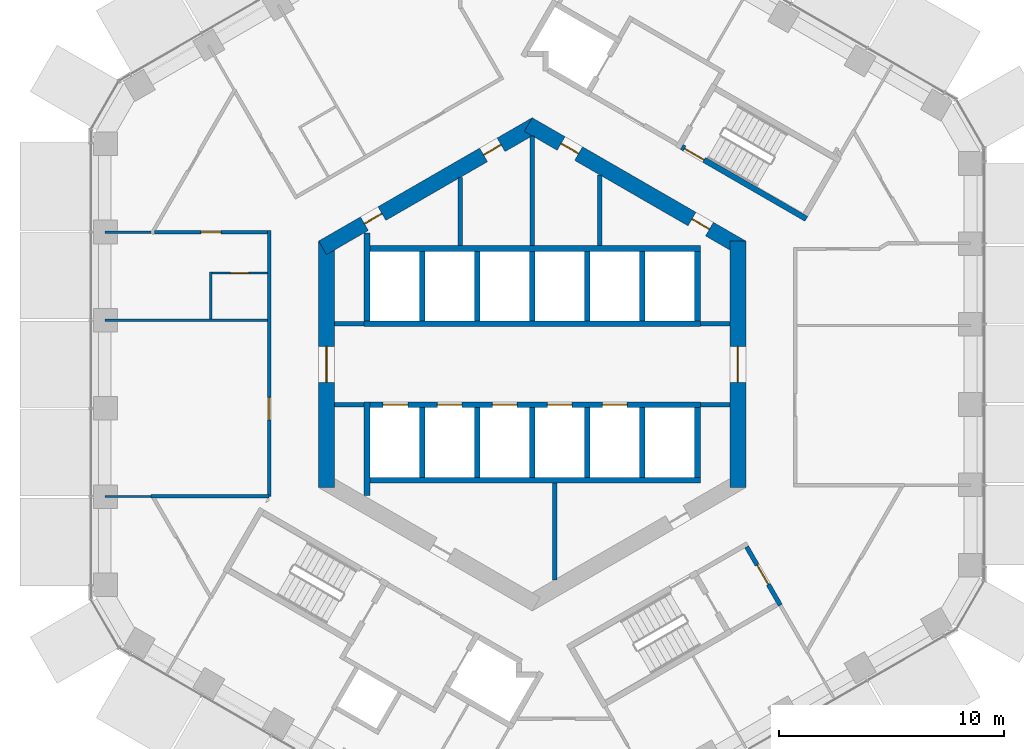
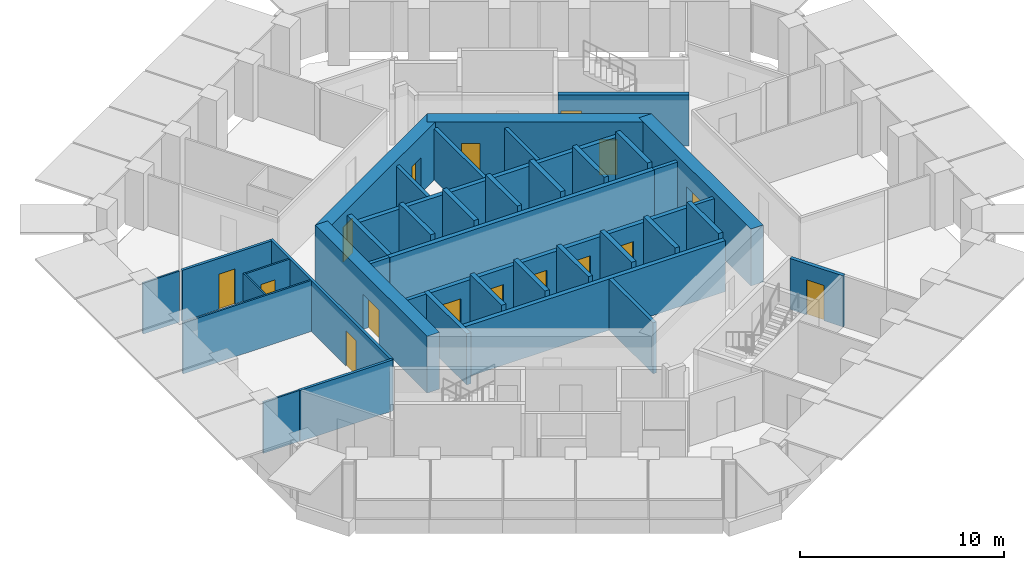
# One storey, part 13 of 18: 40 walls, 16 doors, 16 openings.
"""IFC4 building model written with IfcOpenShell, lengths in metres."""

from ifc_helpers import new_model, si_unit, direction, frame, frame_2d, origin, place, context, subcontext, project, spatial, rectangle, extrude, material, layer, layer_set, type_object, element, fill, save


model = new_model("IFC4")

# Units and contexts
model_context = context("Model", 3, precision=1e-05, world=origin(), true_north=direction((0.0, 1.0)))
body_context = subcontext(model_context, "Body", "Model", "MODEL_VIEW")
ifc_project = project(units=[si_unit("LENGTHUNIT", "METRE"), si_unit("AREAUNIT", "SQUARE_METRE"), si_unit("VOLUMEUNIT", "CUBIC_METRE"), si_unit("PLANEANGLEUNIT", "RADIAN"), si_unit("MASSUNIT", "GRAM", prefix="KILO")], contexts=[model_context])

# Site, building, storey
site_placement = place(None, origin())
site = spatial("IfcSite", under=ifc_project, at=site_placement, CompositionType="ELEMENT")
building_placement = place(site_placement, origin())
building = spatial("IfcBuilding", under=site, at=building_placement, Name="Ayvan Gate Tower", CompositionType="ELEMENT")
storey_placement = place(building_placement, frame((0.0, 0.0, 110.300048828125)))
storey = spatial("IfcBuildingStorey", under=building, at=storey_placement, Name="L29", CompositionType="ELEMENT", Elevation=110.300048828125)

# Wall, opening, door
ifc_material_1 = material(Name="Concrete C70/85", Category="concrete")
ifc_layer_1 = layer(ifc_material_1, 0.699951171875)
ifc_layer_set_1 = layer_set([ifc_layer_1], Name="Concrete C70/85")
wall_type_1 = type_object("IfcWallType", Name="Core wall 700 C70/85", PredefinedType="SHEAR", material=ifc_layer_set_1)
wall_1_placement = place(storey_placement, frame((9.14990234375, -5.48486328125, 0.0), z_axis=(0.0, 0.0, 1.0), x_axis=(0.0, 1.0, 0.0)))
wall_1 = element("IfcWall", 1, at=wall_1_placement, inside=storey, type_object=wall_type_1, Name="CORE-L29-0", PredefinedType="SHEAR", context=body_context, shape_type="SweptSolid", body=[
    extrude(rectangle(XDim=10.9697265625, YDim=0.699951171875, at=frame_2d((5.48486328125, 0.0))), origin(), (0.0, 0.0, 1.0), 3.39990234375),
])
opening_1_placement = place(wall_1_placement, frame((4.684814453125, 0.0, 0.0)))
opening_1 = element("IfcOpeningElement", 2, at=opening_1_placement, cuts=wall_1, Name="Opening L29-D44", PredefinedType="OPENING", context=body_context, shape_type="SweptSolid", body=[
    extrude(rectangle(XDim=1.60009765625, YDim=2.10009765625, at=frame_2d((0.800048828125, 1.050048828125))), frame((0.0, 0.35986328125, 0.0), z_axis=(0.0, -1.0, 0.0), x_axis=(1.0, 0.0, 0.0)), (0.0, 0.0, 1.0), 0.719970703125),
])
ifc_material_2 = material(Name="Timber door leaf", Category="wood")
door_type_1 = type_object("IfcDoorType", Name="DT-1600", OperationType="NOTDEFINED", PredefinedType="DOOR", material=ifc_material_2)
door_1_placement = place(opening_1_placement, origin())
door_1 = element("IfcDoor", 3, at=door_1_placement, inside=storey, type_object=door_type_1, Name="CD-L29-44", OperationType="SINGLE_SWING_LEFT", OverallHeight=2.10009765625, OverallWidth=1.60009765625, PredefinedType="DOOR", context=body_context, shape_type="SweptSolid", body=[
    extrude(rectangle(XDim=1.60009765625, YDim=2.10009765625, at=frame_2d((0.800048828125, 1.050048828125))), frame((0.0, 0.02490234375, 0.0), z_axis=(0.0, -1.0, 0.0), x_axis=(1.0, 0.0, 0.0)), (0.0, 0.0, 1.0), 0.050048828125),
])
fill(opening_1, door_1)

# Wall, openings, doors
wall_2_placement = place(storey_placement, frame((9.324951171875, 5.181640625, 0.0), z_axis=(0.0, 0.0, 1.0), x_axis=(-0.866023993627, 0.500002442456, 0.0)))
wall_2 = element("IfcWall", 4, at=wall_2_placement, inside=storey, type_object=wall_type_1, Name="CORE-L29-1", PredefinedType="SHEAR", context=body_context, shape_type="SweptSolid", body=[
    extrude(rectangle(XDim=10.9697265625, YDim=0.699951171875, at=frame_2d((5.48486328125, 0.0))), origin(), (0.0, 0.0, 1.0), 3.39990234375),
])
opening_2_placement = place(wall_2_placement, frame((8.384033203125, 0.0, 0.0)))
opening_2 = element("IfcOpeningElement", 5, at=opening_2_placement, cuts=wall_2, Name="Opening L29-D40", PredefinedType="OPENING", context=body_context, shape_type="SweptSolid", body=[
    extrude(rectangle(XDim=0.89990234375, YDim=2.10009765625, at=frame_2d((0.449951171875, 1.050048828125))), frame((0.0, 0.35986328125, 0.0), z_axis=(0.0, -1.0, 0.0), x_axis=(1.0, 0.0, 0.0)), (0.0, 0.0, 1.0), 0.719970703125),
])
opening_3_placement = place(wall_2_placement, frame((1.66259765625, 0.0, 0.0)))
opening_3 = element("IfcOpeningElement", 6, at=opening_3_placement, cuts=wall_2, Name="Opening L29-D41", PredefinedType="OPENING", context=body_context, shape_type="SweptSolid", body=[
    extrude(rectangle(XDim=0.89990234375, YDim=2.10009765625, at=frame_2d((0.449951171875, 1.050048828125))), frame((0.0, 0.35986328125, 0.0), z_axis=(0.0, -1.0, 0.0), x_axis=(1.0, 0.0, 0.0)), (0.0, 0.0, 1.0), 0.719970703125),
])
door_type_2 = type_object("IfcDoorType", Name="DT-900", OperationType="NOTDEFINED", PredefinedType="DOOR", material=ifc_material_2)
door_2_placement = place(opening_2_placement, origin())
door_2 = element("IfcDoor", 7, at=door_2_placement, inside=storey, type_object=door_type_2, Name="CD-L29-40", OperationType="SINGLE_SWING_LEFT", OverallHeight=2.10009765625, OverallWidth=0.89990234375, PredefinedType="DOOR", context=body_context, shape_type="SweptSolid", body=[
    extrude(rectangle(XDim=0.89990234375, YDim=2.10009765625, at=frame_2d((0.449951171875, 1.050048828125))), frame((0.0, 0.02490234375, 0.0), z_axis=(0.0, -1.0, 0.0), x_axis=(1.0, 0.0, 0.0)), (0.0, 0.0, 1.0), 0.050048828125),
])
fill(opening_2, door_2)
door_3_placement = place(opening_3_placement, origin())
door_3 = element("IfcDoor", 8, at=door_3_placement, inside=storey, type_object=door_type_2, Name="CD-L29-41", OperationType="SINGLE_SWING_RIGHT", OverallHeight=2.10009765625, OverallWidth=0.89990234375, PredefinedType="DOOR", context=body_context, shape_type="SweptSolid", body=[
    extrude(rectangle(XDim=0.89990234375, YDim=2.10009765625, at=frame_2d((0.449951171875, 1.050048828125))), frame((0.0, 0.02490234375, 0.0), z_axis=(0.0, -1.0, 0.0), x_axis=(1.0, 0.0, 0.0)), (0.0, 0.0, 1.0), 0.050048828125),
])
fill(opening_3, door_3)

wall_3_placement = place(storey_placement, frame((0.175048828125, 10.66650390625, 0.0), z_axis=(0.0, 0.0, 1.0), x_axis=(-0.866023993627, -0.500002442456, 0.0)))
wall_3 = element("IfcWall", 9, at=wall_3_placement, inside=storey, type_object=wall_type_1, Name="CORE-L29-2", PredefinedType="SHEAR", context=body_context, shape_type="SweptSolid", body=[
    extrude(rectangle(XDim=10.9697265625, YDim=0.699951171875, at=frame_2d((5.48486328125, 0.0))), origin(), (0.0, 0.0, 1.0), 3.39990234375),
])
opening_4_placement = place(wall_3_placement, frame((7.922607421875, 0.0, 0.0)))
opening_4 = element("IfcOpeningElement", 10, at=opening_4_placement, cuts=wall_3, Name="Opening L29-D38", PredefinedType="OPENING", context=body_context, shape_type="SweptSolid", body=[
    extrude(rectangle(XDim=0.89990234375, YDim=2.10009765625, at=frame_2d((0.449951171875, 1.050048828125))), frame((0.0, 0.35986328125, 0.0), z_axis=(0.0, -1.0, 0.0), x_axis=(1.0, 0.0, 0.0)), (0.0, 0.0, 1.0), 0.719970703125),
])
opening_5_placement = place(wall_3_placement, frame((1.80224609375, 0.0, 0.0)))
opening_5 = element("IfcOpeningElement", 11, at=opening_5_placement, cuts=wall_3, Name="Opening L29-D39", PredefinedType="OPENING", context=body_context, shape_type="SweptSolid", body=[
    extrude(rectangle(XDim=0.89990234375, YDim=2.10009765625, at=frame_2d((0.449951171875, 1.050048828125))), frame((0.0, 0.35986328125, 0.0), z_axis=(0.0, -1.0, 0.0), x_axis=(1.0, 0.0, 0.0)), (0.0, 0.0, 1.0), 0.719970703125),
])
door_4_placement = place(opening_4_placement, origin())
door_4 = element("IfcDoor", 12, at=door_4_placement, inside=storey, type_object=door_type_2, Name="CD-L29-38", OperationType="SINGLE_SWING_LEFT", OverallHeight=2.10009765625, OverallWidth=0.89990234375, PredefinedType="DOOR", context=body_context, shape_type="SweptSolid", body=[
    extrude(rectangle(XDim=0.89990234375, YDim=2.10009765625, at=frame_2d((0.449951171875, 1.050048828125))), frame((0.0, 0.02490234375, 0.0), z_axis=(0.0, -1.0, 0.0), x_axis=(1.0, 0.0, 0.0)), (0.0, 0.0, 1.0), 0.050048828125),
])
fill(opening_4, door_4)
door_5_placement = place(opening_5_placement, origin())
door_5 = element("IfcDoor", 13, at=door_5_placement, inside=storey, type_object=door_type_2, Name="CD-L29-39", OperationType="SINGLE_SWING_RIGHT", OverallHeight=2.10009765625, OverallWidth=0.89990234375, PredefinedType="DOOR", context=body_context, shape_type="SweptSolid", body=[
    extrude(rectangle(XDim=0.89990234375, YDim=2.10009765625, at=frame_2d((0.449951171875, 1.050048828125))), frame((0.0, 0.02490234375, 0.0), z_axis=(0.0, -1.0, 0.0), x_axis=(1.0, 0.0, 0.0)), (0.0, 0.0, 1.0), 0.050048828125),
])
fill(opening_5, door_5)

# Wall, opening, door
wall_4_placement = place(storey_placement, frame((-9.14990234375, 5.48486328125, 0.0), z_axis=(0.0, 0.0, 1.0), x_axis=(0.0, -1.0, 0.0)))
wall_4 = element("IfcWall", 14, at=wall_4_placement, inside=storey, type_object=wall_type_1, Name="CORE-L29-3", PredefinedType="SHEAR", context=body_context, shape_type="SweptSolid", body=[
    extrude(rectangle(XDim=10.9697265625, YDim=0.699951171875, at=frame_2d((5.48486328125, 0.0))), origin(), (0.0, 0.0, 1.0), 3.39990234375),
])
opening_6_placement = place(wall_4_placement, frame((4.684814453125, 0.0, 0.0)))
opening_6 = element("IfcOpeningElement", 15, at=opening_6_placement, cuts=wall_4, Name="Opening L29-D45", PredefinedType="OPENING", context=body_context, shape_type="SweptSolid", body=[
    extrude(rectangle(XDim=1.60009765625, YDim=2.10009765625, at=frame_2d((0.800048828125, 1.050048828125))), frame((0.0, 0.35986328125, 0.0), z_axis=(0.0, -1.0, 0.0), x_axis=(1.0, 0.0, 0.0)), (0.0, 0.0, 1.0), 0.719970703125),
])
door_6_placement = place(opening_6_placement, origin())
door_6 = element("IfcDoor", 16, at=door_6_placement, inside=storey, type_object=door_type_1, Name="CD-L29-45", OperationType="SINGLE_SWING_RIGHT", OverallHeight=2.10009765625, OverallWidth=1.60009765625, PredefinedType="DOOR", context=body_context, shape_type="SweptSolid", body=[
    extrude(rectangle(XDim=1.60009765625, YDim=2.10009765625, at=frame_2d((0.800048828125, 1.050048828125))), frame((0.0, 0.02490234375, 0.0), z_axis=(0.0, -1.0, 0.0), x_axis=(1.0, 0.0, 0.0)), (0.0, 0.0, 1.0), 0.050048828125),
])
fill(opening_6, door_6)

# Wall
ifc_material_3 = material(Name="Plasterboard on steel stud", Category="steel")
ifc_layer_2 = layer(ifc_material_3, 0.14990234375)
ifc_layer_set_2 = layer_set([ifc_layer_2], Name="Plasterboard on steel stud")
wall_type_2 = type_object("IfcWallType", Name="WT-CORR-150", PredefinedType="PARTITIONING", material=ifc_layer_set_2)
wall_5_placement = place(storey_placement, frame((-16.96142578125, -5.875244140625, 0.0), z_axis=(0.0, 0.0, 1.0), x_axis=(1.0, 0.0, 0.0)))
element("IfcWall", 17, at=wall_5_placement, inside=storey, type_object=wall_type_2, Name="IW-L29-000", PredefinedType="PARTITIONING", context=body_context, shape_type="SweptSolid", body=[
    extrude(rectangle(XDim=5.255615234375, YDim=0.14990234375, at=frame_2d((2.6279296875, 0.0))), origin(), (0.0, 0.0, 1.0), 3.050048828125),
])

# Wall, opening, door
wall_6_placement = place(storey_placement, frame((-11.699951171875, 5.9501953125, 0.0), z_axis=(0.0, 0.0, 1.0), x_axis=(0.0, -1.0, 0.0)))
wall_6 = element("IfcWall", 18, at=wall_6_placement, inside=storey, type_object=wall_type_2, Name="IW-L29-013", PredefinedType="PARTITIONING", context=body_context, shape_type="SweptSolid", body=[
    extrude(rectangle(XDim=11.825439453125, YDim=0.14990234375, at=frame_2d((5.91259765625, 0.0))), origin(), (0.0, 0.0, 1.0), 3.050048828125),
])
opening_7_placement = place(wall_6_placement, frame((7.423583984375, 0.0, 0.0)))
opening_7 = element("IfcOpeningElement", 19, at=opening_7_placement, cuts=wall_6, Name="Opening L29-D26", PredefinedType="OPENING", context=body_context, shape_type="SweptSolid", body=[
    extrude(rectangle(XDim=1.0, YDim=2.10009765625, at=frame_2d((0.5, 1.050048828125))), frame((0.0, 0.0849609375, 0.0), z_axis=(0.0, -1.0, 0.0), x_axis=(1.0, 0.0, 0.0)), (0.0, 0.0, 1.0), 0.169921875),
])
door_type_3 = type_object("IfcDoorType", Name="DT-1000", OperationType="NOTDEFINED", PredefinedType="DOOR", material=ifc_material_2)
door_7_placement = place(opening_7_placement, origin())
door_7 = element("IfcDoor", 20, at=door_7_placement, inside=storey, type_object=door_type_3, Name="ID-L29-026", OperationType="SINGLE_SWING_LEFT", OverallHeight=2.10009765625, OverallWidth=1.0, PredefinedType="DOOR", context=body_context, shape_type="SweptSolid", body=[
    extrude(rectangle(XDim=1.0, YDim=2.10009765625, at=frame_2d((0.5, 1.050048828125))), frame((0.0, 0.02490234375, 0.0), z_axis=(0.0, -1.0, 0.0), x_axis=(1.0, 0.0, 0.0)), (0.0, 0.0, 1.0), 0.050048828125),
])
fill(opening_7, door_7)

wall_7_placement = place(storey_placement, frame((-11.77490234375, 5.875244140625, 0.0), z_axis=(0.0, 0.0, 1.0), x_axis=(-1.0, 0.0, 0.0)))
wall_7 = element("IfcWall", 21, at=wall_7_placement, inside=storey, type_object=wall_type_2, Name="IW-L29-015", PredefinedType="PARTITIONING", context=body_context, shape_type="SweptSolid", body=[
    extrude(rectangle(XDim=5.03662109375, YDim=0.14990234375, at=frame_2d((2.518310546875, 0.0))), origin(), (0.0, 0.0, 1.0), 3.050048828125),
])
opening_8_placement = place(wall_7_placement, frame((2.068359375, 0.0, 0.0)))
opening_8 = element("IfcOpeningElement", 22, at=opening_8_placement, cuts=wall_7, Name="Opening L29-D24", PredefinedType="OPENING", context=body_context, shape_type="SweptSolid", body=[
    extrude(rectangle(XDim=0.89990234375, YDim=2.10009765625, at=frame_2d((0.449951171875, 1.050048828125))), frame((0.0, 0.0849609375, 0.0), z_axis=(0.0, -1.0, 0.0), x_axis=(1.0, 0.0, 0.0)), (0.0, 0.0, 1.0), 0.169921875),
])
door_8_placement = place(opening_8_placement, origin())
door_8 = element("IfcDoor", 23, at=door_8_placement, inside=storey, type_object=door_type_2, Name="ID-L29-024", OperationType="SINGLE_SWING_LEFT", OverallHeight=2.10009765625, OverallWidth=0.89990234375, PredefinedType="DOOR", context=body_context, shape_type="SweptSolid", body=[
    extrude(rectangle(XDim=0.89990234375, YDim=2.10009765625, at=frame_2d((0.449951171875, 1.050048828125))), frame((0.0, 0.02490234375, 0.0), z_axis=(0.0, -1.0, 0.0), x_axis=(1.0, 0.0, 0.0)), (0.0, 0.0, 1.0), 0.050048828125),
])
fill(opening_8, door_8)

# Walls
ifc_layer_3 = layer(ifc_material_3, 0.10009765625)
ifc_layer_set_3 = layer_set([ifc_layer_3], Name="Plasterboard on steel stud")
wall_type_3 = type_object("IfcWallType", Name="WT-PART-100", PredefinedType="PARTITIONING", material=ifc_layer_set_3)
for number, where, z_axis, x_axis, name in (
    (24, (-16.96142578125, 5.875244140625, 0.0), (0.0, 0.0, 1.0), (-1.0, 0.0, 0.0), "IW-L29-001"),
    (25, (-16.96142578125, -5.875244140625, 0.0), (0.0, 0.0, 1.0), (-1.0, 0.0, 0.0), "IW-L29-003"),
):
    element("IfcWall", number, at=place(storey_placement, frame(where, z_axis=z_axis, x_axis=x_axis)), inside=storey, type_object=wall_type_3, Name=name, PredefinedType="PARTITIONING", context=body_context, shape_type="SweptSolid", body=[
        extrude(rectangle(XDim=2.04931640625, YDim=0.10009765625, at=frame_2d((1.024658203125, 0.0))), origin(), (0.0, 0.0, 1.0), 3.050048828125),
    ])
wall_8_placement = place(storey_placement, frame((-19.0107421875, 1.95849609375, 0.0), z_axis=(0.0, 0.0, 1.0), x_axis=(1.0, 0.0, 0.0)))
element("IfcWall", 26, at=wall_8_placement, inside=storey, type_object=wall_type_3, Name="IW-L29-005", PredefinedType="PARTITIONING", context=body_context, shape_type="SweptSolid", body=[
    extrude(rectangle(XDim=7.23583984375, YDim=0.10009765625, at=frame_2d((3.617919921875, 0.0))), origin(), (0.0, 0.0, 1.0), 3.050048828125),
])
wall_9_placement = place(storey_placement, frame((-14.300048828125, 4.1083984375, 0.0), z_axis=(0.0, 0.0, 1.0), x_axis=(0.0, -1.0, 0.0)))
element("IfcWall", 27, at=wall_9_placement, inside=storey, type_object=wall_type_3, Name="IW-L29-006", PredefinedType="PARTITIONING", context=body_context, shape_type="SweptSolid", body=[
    extrude(rectangle(XDim=2.10009765625, YDim=0.10009765625, at=frame_2d((1.050048828125, 0.0))), origin(), (0.0, 0.0, 1.0), 3.050048828125),
])

# Wall, opening, door
wall_10_placement = place(storey_placement, frame((-11.77490234375, 4.058349609375, 0.0), z_axis=(0.0, 0.0, 1.0), x_axis=(-1.0, 0.0, 0.0)))
wall_10 = element("IfcWall", 28, at=wall_10_placement, inside=storey, type_object=wall_type_3, Name="IW-L29-014", PredefinedType="PARTITIONING", context=body_context, shape_type="SweptSolid", body=[
    extrude(rectangle(XDim=2.47509765625, YDim=0.10009765625, at=frame_2d((1.237548828125, 0.0))), origin(), (0.0, 0.0, 1.0), 3.050048828125),
])
opening_9_placement = place(wall_10_placement, frame((0.83740234375, 0.0, 0.0)))
opening_9 = element("IfcOpeningElement", 29, at=opening_9_placement, cuts=wall_10, Name="Opening L29-D25", PredefinedType="OPENING", context=body_context, shape_type="SweptSolid", body=[
    extrude(rectangle(XDim=0.800048828125, YDim=2.10009765625, at=frame_2d((0.39990234375, 1.050048828125))), frame((0.0, 0.06005859375, 0.0), z_axis=(0.0, -1.0, 0.0), x_axis=(1.0, 0.0, 0.0)), (0.0, 0.0, 1.0), 0.1201171875),
])
door_type_4 = type_object("IfcDoorType", Name="DT-800", OperationType="NOTDEFINED", PredefinedType="DOOR", material=ifc_material_2)
door_9_placement = place(opening_9_placement, origin())
door_9 = element("IfcDoor", 30, at=door_9_placement, inside=storey, type_object=door_type_4, Name="ID-L29-025", OperationType="SINGLE_SWING_RIGHT", OverallHeight=2.10009765625, OverallWidth=0.800048828125, PredefinedType="DOOR", context=body_context, shape_type="SweptSolid", body=[
    extrude(rectangle(XDim=0.800048828125, YDim=2.10009765625, at=frame_2d((0.39990234375, 1.050048828125))), frame((0.0, 0.02490234375, 0.0), z_axis=(0.0, -1.0, 0.0), x_axis=(1.0, 0.0, 0.0)), (0.0, 0.0, 1.0), 0.050048828125),
])
fill(opening_9, door_9)

# Walls
ifc_layer_4 = layer(ifc_material_3, 0.199951171875)
ifc_layer_set_4 = layer_set([ifc_layer_4], Name="Plasterboard on steel stud")
wall_type_4 = type_object("IfcWallType", Name="WT-RATED-200", PredefinedType="PARTITIONING", material=ifc_layer_set_4)
for number, where, z_axis, x_axis, name in (
    (31, (-8.800048828125, 1.800048828125, 0.0), (0.0, 0.0, 1.0), (1.0, 0.0, 0.0), "IW-L29-019"),
    (32, (-7.474853515625, -1.800048828125, 0.0), (0.0, 0.0, 1.0), (-1.0, 0.0, 0.0), "IW-L29-030"),
):
    element("IfcWall", number, at=place(storey_placement, frame(where, z_axis=z_axis, x_axis=x_axis)), inside=storey, type_object=wall_type_4, Name=name, PredefinedType="PARTITIONING", context=body_context, shape_type="SweptSolid", body=[
        extrude(rectangle(XDim=1.3251953125, YDim=0.199951171875, at=frame_2d((0.66259765625, 0.0))), origin(), (0.0, 0.0, 1.0), 3.050048828125),
    ])
wall_11_placement = place(storey_placement, frame((-3.199951171875, 8.313720703125, 0.0), z_axis=(0.0, 0.0, 1.0), x_axis=(0.0, -1.0, 0.0)))
element("IfcWall", 33, at=wall_11_placement, inside=storey, type_object=wall_type_4, Name="IW-L29-043", PredefinedType="PARTITIONING", context=body_context, shape_type="SweptSolid", body=[
    extrude(rectangle(XDim=3.038818359375, YDim=0.199951171875, at=frame_2d((1.51953125, 0.0))), origin(), (0.0, 0.0, 1.0), 3.050048828125),
])
wall_12_placement = place(storey_placement, frame((0.0, 10.161376953125, 0.0), z_axis=(0.0, 0.0, 1.0), x_axis=(0.0, -1.0, 0.0)))
element("IfcWall", 34, at=wall_12_placement, inside=storey, type_object=wall_type_4, Name="IW-L29-060", PredefinedType="PARTITIONING", context=body_context, shape_type="SweptSolid", body=[
    extrude(rectangle(XDim=4.886474609375, YDim=0.199951171875, at=frame_2d((2.443359375, 0.0))), origin(), (0.0, 0.0, 1.0), 3.050048828125),
])
wall_13_placement = place(storey_placement, frame((1.0, -5.27490234375, 0.0), z_axis=(0.0, 0.0, 1.0), x_axis=(0.0, -1.0, 0.0)))
element("IfcWall", 35, at=wall_13_placement, inside=storey, type_object=wall_type_4, Name="IW-L29-064", PredefinedType="PARTITIONING", context=body_context, shape_type="SweptSolid", body=[
    extrude(rectangle(XDim=4.30908203125, YDim=0.199951171875, at=frame_2d((2.154541015625, 0.0))), origin(), (0.0, 0.0, 1.0), 3.050048828125),
])
wall_14_placement = place(storey_placement, frame((3.0, 8.42919921875, 0.0), z_axis=(0.0, 0.0, 1.0), x_axis=(0.0, -1.0, 0.0)))
element("IfcWall", 36, at=wall_14_placement, inside=storey, type_object=wall_type_4, Name="IW-L29-071", PredefinedType="PARTITIONING", context=body_context, shape_type="SweptSolid", body=[
    extrude(rectangle(XDim=3.154296875, YDim=0.199951171875, at=frame_2d((1.5771484375, 0.0))), origin(), (0.0, 0.0, 1.0), 3.050048828125),
])
for number, where, z_axis, x_axis, name in (
    (37, (7.474853515625, 1.800048828125, 0.0), (0.0, 0.0, 1.0), (1.0, 0.0, 0.0), "IW-L29-087"),
    (38, (8.800048828125, -1.800048828125, 0.0), (0.0, 0.0, 1.0), (-1.0, 0.0, 0.0), "IW-L29-093"),
):
    element("IfcWall", number, at=place(storey_placement, frame(where, z_axis=z_axis, x_axis=x_axis)), inside=storey, type_object=wall_type_4, Name=name, PredefinedType="PARTITIONING", context=body_context, shape_type="SweptSolid", body=[
        extrude(rectangle(XDim=1.3251953125, YDim=0.199951171875, at=frame_2d((0.66259765625, 0.0))), origin(), (0.0, 0.0, 1.0), 3.050048828125),
    ])

# Wall, opening, door
wall_15_placement = place(storey_placement, frame((9.537353515625, -8.119140625, 0.0), z_axis=(0.0, 0.0, 1.0), x_axis=(0.499990139034, -0.866031096941, 0.0)))
wall_15 = element("IfcWall", 39, at=wall_15_placement, inside=storey, type_object=wall_type_4, Name="IW-L29-094", PredefinedType="PARTITIONING", context=body_context, shape_type="SweptSolid", body=[
    extrude(rectangle(XDim=3.0, YDim=0.199951171875, at=frame_2d((1.5, 0.0))), origin(), (0.0, 0.0, 1.0), 3.050048828125),
])
opening_10_placement = place(wall_15_placement, frame((0.93505859375, 0.0, 0.0)))
opening_10 = element("IfcOpeningElement", 40, at=opening_10_placement, cuts=wall_15, Name="Opening L29-D15", PredefinedType="OPENING", context=body_context, shape_type="SweptSolid", body=[
    extrude(rectangle(XDim=1.0, YDim=2.10009765625, at=frame_2d((0.5, 1.050048828125))), frame((0.0, 0.10986328125, 0.0), z_axis=(0.0, -1.0, 0.0), x_axis=(1.0, 0.0, 0.0)), (0.0, 0.0, 1.0), 0.219970703125),
])
door_10_placement = place(opening_10_placement, origin())
door_10 = element("IfcDoor", 41, at=door_10_placement, inside=storey, type_object=door_type_3, Name="ID-L29-015", OperationType="SINGLE_SWING_RIGHT", OverallHeight=2.10009765625, OverallWidth=1.0, PredefinedType="DOOR", context=body_context, shape_type="SweptSolid", body=[
    extrude(rectangle(XDim=1.0, YDim=2.10009765625, at=frame_2d((0.5, 1.050048828125))), frame((0.0, 0.02490234375, 0.0), z_axis=(0.0, -1.0, 0.0), x_axis=(1.0, 0.0, 0.0)), (0.0, 0.0, 1.0), 0.050048828125),
])
fill(opening_10, door_10)

# Walls
ifc_material_4 = material(Name="Concrete C50/60", Category="concrete")
ifc_layer_5 = layer(ifc_material_4, 0.25)
ifc_layer_set_5 = layer_set([ifc_layer_5], Name="Concrete C50/60")
wall_type_5 = type_object("IfcWallType", Name="WT-RC-250", PredefinedType="SHEAR", material=ifc_layer_set_5)
wall_16_placement = place(storey_placement, frame((-7.47509765625, 1.800048828125, 0.0), z_axis=(0.0, 0.0, 1.0), x_axis=(1.0, 0.0, 0.0)))
element("IfcWall", 42, at=wall_16_placement, inside=storey, type_object=wall_type_5, Name="IW-L29-026", PredefinedType="SHEAR", context=body_context, shape_type="SweptSolid", body=[
    extrude(rectangle(XDim=14.9501953125, YDim=0.25, at=frame_2d((7.47509765625, 0.0))), origin(), (0.0, 0.0, 1.0), 3.050048828125),
])
wall_17_placement = place(storey_placement, frame((-7.35009765625, -5.845703125, 0.0), z_axis=(0.0, 0.0, 1.0), x_axis=(0.0, 1.0, 0.0)))
element("IfcWall", 43, at=wall_17_placement, inside=storey, type_object=wall_type_5, Name="IW-L29-027", PredefinedType="SHEAR", context=body_context, shape_type="SweptSolid", body=[
    extrude(rectangle(XDim=4.170654296875, YDim=0.25, at=frame_2d((2.08544921875, 0.0))), origin(), (0.0, 0.0, 1.0), 3.050048828125),
])
wall_18_placement = place(storey_placement, frame((-7.35009765625, 1.925048828125, 0.0), z_axis=(0.0, 0.0, 1.0), x_axis=(0.0, 1.0, 0.0)))
element("IfcWall", 44, at=wall_18_placement, inside=storey, type_object=wall_type_5, Name="IW-L29-028", PredefinedType="SHEAR", context=body_context, shape_type="SweptSolid", body=[
    extrude(rectangle(XDim=3.920654296875, YDim=0.25, at=frame_2d((1.96044921875, 0.0))), origin(), (0.0, 0.0, 1.0), 3.050048828125),
])
for number, where, z_axis, x_axis, name in (
    (45, (-7.22509765625, 5.14990234375, 0.0), (0.0, 0.0, 1.0), (1.0, 0.0, 0.0), "IW-L29-029"),
    (46, (-7.22509765625, -5.14990234375, 0.0), (0.0, 0.0, 1.0), (1.0, 0.0, 0.0), "IW-L29-035"),
):
    element("IfcWall", number, at=place(storey_placement, frame(where, z_axis=z_axis, x_axis=x_axis)), inside=storey, type_object=wall_type_5, Name=name, PredefinedType="SHEAR", context=body_context, shape_type="SweptSolid", body=[
        extrude(rectangle(XDim=14.7001953125, YDim=0.25, at=frame_2d((7.35009765625, 0.0))), origin(), (0.0, 0.0, 1.0), 3.050048828125),
    ])
for number, where, z_axis, x_axis, name in (
    (47, (-4.89990234375, -1.925048828125, 0.0), (0.0, 0.0, 1.0), (0.0, -1.0, 0.0), "IW-L29-036"),
    (48, (-4.89990234375, 5.02490234375, 0.0), (0.0, 0.0, 1.0), (0.0, -1.0, 0.0), "IW-L29-037"),
):
    element("IfcWall", number, at=place(storey_placement, frame(where, z_axis=z_axis, x_axis=x_axis)), inside=storey, type_object=wall_type_5, Name=name, PredefinedType="SHEAR", context=body_context, shape_type="SweptSolid", body=[
        extrude(rectangle(XDim=3.099853515625, YDim=0.25, at=frame_2d((1.5498046875, 0.0))), origin(), (0.0, 0.0, 1.0), 3.39990234375),
    ])

# Wall, openings, doors
wall_19_placement = place(storey_placement, frame((-7.22509765625, -1.800048828125, 0.0), z_axis=(0.0, 0.0, 1.0), x_axis=(1.0, 0.0, 0.0)))
wall_19 = element("IfcWall", 49, at=wall_19_placement, inside=storey, type_object=wall_type_5, Name="IW-L29-038", PredefinedType="SHEAR", context=body_context, shape_type="SweptSolid", body=[
    extrude(rectangle(XDim=14.7001953125, YDim=0.25, at=frame_2d((7.35009765625, 0.0))), origin(), (0.0, 0.0, 1.0), 3.050048828125),
])
opening_11_placement = place(wall_19_placement, frame((0.597412109375, 0.0, 0.0)))
opening_11 = element("IfcOpeningElement", 50, at=opening_11_placement, cuts=wall_19, Name="Opening L29-LD-LR1", PredefinedType="OPENING", context=body_context, shape_type="SweptSolid", body=[
    extrude(rectangle(XDim=1.10009765625, YDim=2.10009765625, at=frame_2d((0.550048828125, 1.050048828125))), frame((0.0, 0.135009765625, 0.0), z_axis=(0.0, -1.0, 0.0), x_axis=(1.0, 0.0, 0.0)), (0.0, 0.0, 1.0), 0.27001953125),
])
opening_12_placement = place(wall_19_placement, frame((3.0, 0.0, 0.0)))
opening_12 = element("IfcOpeningElement", 51, at=opening_12_placement, cuts=wall_19, Name="Opening L29-LD-LR2", PredefinedType="OPENING", context=body_context, shape_type="SweptSolid", body=[
    extrude(rectangle(XDim=1.10009765625, YDim=2.10009765625, at=frame_2d((0.550048828125, 1.050048828125))), frame((0.0, 0.135009765625, 0.0), z_axis=(0.0, -1.0, 0.0), x_axis=(1.0, 0.0, 0.0)), (0.0, 0.0, 1.0), 0.27001953125),
])
opening_13_placement = place(wall_19_placement, frame((5.4501953125, 0.0, 0.0)))
opening_13 = element("IfcOpeningElement", 52, at=opening_13_placement, cuts=wall_19, Name="Opening L29-LD-LR3", PredefinedType="OPENING", context=body_context, shape_type="SweptSolid", body=[
    extrude(rectangle(XDim=1.10009765625, YDim=2.10009765625, at=frame_2d((0.550048828125, 1.050048828125))), frame((0.0, 0.135009765625, 0.0), z_axis=(0.0, -1.0, 0.0), x_axis=(1.0, 0.0, 0.0)), (0.0, 0.0, 1.0), 0.27001953125),
])
opening_14_placement = place(wall_19_placement, frame((7.900146484375, 0.0, 0.0)))
opening_14 = element("IfcOpeningElement", 53, at=opening_14_placement, cuts=wall_19, Name="Opening L29-LD-LR4", PredefinedType="OPENING", context=body_context, shape_type="SweptSolid", body=[
    extrude(rectangle(XDim=1.10009765625, YDim=2.10009765625, at=frame_2d((0.550048828125, 1.050048828125))), frame((0.0, 0.135009765625, 0.0), z_axis=(0.0, -1.0, 0.0), x_axis=(1.0, 0.0, 0.0)), (0.0, 0.0, 1.0), 0.27001953125),
])
opening_15_placement = place(wall_19_placement, frame((10.35009765625, 0.0, 0.0)))
opening_15 = element("IfcOpeningElement", 54, at=opening_15_placement, cuts=wall_19, Name="Opening L29-LD-SV", PredefinedType="OPENING", context=body_context, shape_type="SweptSolid", body=[
    extrude(rectangle(XDim=1.10009765625, YDim=2.10009765625, at=frame_2d((0.550048828125, 1.050048828125))), frame((0.0, 0.135009765625, 0.0), z_axis=(0.0, -1.0, 0.0), x_axis=(1.0, 0.0, 0.0)), (0.0, 0.0, 1.0), 0.27001953125),
])
ifc_material_5 = material(Name="Stainless steel landing door", Category="steel")
door_type_5 = type_object("IfcDoorType", Name="DT-LANDING-1100", OperationType="SLIDING_TO_LEFT", PredefinedType="DOOR", material=ifc_material_5)
door_11_placement = place(opening_11_placement, origin())
door_11 = element("IfcDoor", 55, at=door_11_placement, inside=storey, type_object=door_type_5, Name="ID-L29-001", OperationType="SLIDING_TO_LEFT", OverallHeight=2.10009765625, OverallWidth=1.10009765625, PredefinedType="DOOR", context=body_context, shape_type="SweptSolid", body=[
    extrude(rectangle(XDim=1.10009765625, YDim=2.10009765625, at=frame_2d((0.550048828125, 1.050048828125))), frame((0.0, 0.02490234375, 0.0), z_axis=(0.0, -1.0, 0.0), x_axis=(1.0, 0.0, 0.0)), (0.0, 0.0, 1.0), 0.050048828125),
])
fill(opening_11, door_11)
door_12_placement = place(opening_12_placement, origin())
door_12 = element("IfcDoor", 56, at=door_12_placement, inside=storey, type_object=door_type_5, Name="ID-L29-002", OperationType="SLIDING_TO_LEFT", OverallHeight=2.10009765625, OverallWidth=1.10009765625, PredefinedType="DOOR", context=body_context, shape_type="SweptSolid", body=[
    extrude(rectangle(XDim=1.10009765625, YDim=2.10009765625, at=frame_2d((0.550048828125, 1.050048828125))), frame((0.0, 0.02490234375, 0.0), z_axis=(0.0, -1.0, 0.0), x_axis=(1.0, 0.0, 0.0)), (0.0, 0.0, 1.0), 0.050048828125),
])
fill(opening_12, door_12)
door_13_placement = place(opening_13_placement, origin())
door_13 = element("IfcDoor", 57, at=door_13_placement, inside=storey, type_object=door_type_5, Name="ID-L29-003", OperationType="SLIDING_TO_LEFT", OverallHeight=2.10009765625, OverallWidth=1.10009765625, PredefinedType="DOOR", context=body_context, shape_type="SweptSolid", body=[
    extrude(rectangle(XDim=1.10009765625, YDim=2.10009765625, at=frame_2d((0.550048828125, 1.050048828125))), frame((0.0, 0.02490234375, 0.0), z_axis=(0.0, -1.0, 0.0), x_axis=(1.0, 0.0, 0.0)), (0.0, 0.0, 1.0), 0.050048828125),
])
fill(opening_13, door_13)
door_14_placement = place(opening_14_placement, origin())
door_14 = element("IfcDoor", 58, at=door_14_placement, inside=storey, type_object=door_type_5, Name="ID-L29-004", OperationType="SLIDING_TO_LEFT", OverallHeight=2.10009765625, OverallWidth=1.10009765625, PredefinedType="DOOR", context=body_context, shape_type="SweptSolid", body=[
    extrude(rectangle(XDim=1.10009765625, YDim=2.10009765625, at=frame_2d((0.550048828125, 1.050048828125))), frame((0.0, 0.02490234375, 0.0), z_axis=(0.0, -1.0, 0.0), x_axis=(1.0, 0.0, 0.0)), (0.0, 0.0, 1.0), 0.050048828125),
])
fill(opening_14, door_14)
door_15_placement = place(opening_15_placement, origin())
door_15 = element("IfcDoor", 59, at=door_15_placement, inside=storey, type_object=door_type_5, Name="ID-L29-005", OperationType="SLIDING_TO_LEFT", OverallHeight=2.10009765625, OverallWidth=1.10009765625, PredefinedType="DOOR", context=body_context, shape_type="SweptSolid", body=[
    extrude(rectangle(XDim=1.10009765625, YDim=2.10009765625, at=frame_2d((0.550048828125, 1.050048828125))), frame((0.0, 0.02490234375, 0.0), z_axis=(0.0, -1.0, 0.0), x_axis=(1.0, 0.0, 0.0)), (0.0, 0.0, 1.0), 0.050048828125),
])
fill(opening_15, door_15)

# Walls
for number, where, z_axis, x_axis, name in (
    (60, (-2.449951171875, -1.925048828125, 0.0), (0.0, 0.0, 1.0), (0.0, -1.0, 0.0), "IW-L29-051"),
    (61, (-2.449951171875, 5.02490234375, 0.0), (0.0, 0.0, 1.0), (0.0, -1.0, 0.0), "IW-L29-052"),
    (62, (0.0, -1.925048828125, 0.0), (0.0, 0.0, 1.0), (0.0, -1.0, 0.0), "IW-L29-058"),
    (63, (0.0, 5.02490234375, 0.0), (0.0, 0.0, 1.0), (0.0, -1.0, 0.0), "IW-L29-059"),
    (64, (2.449951171875, -1.925048828125, 0.0), (0.0, 0.0, 1.0), (0.0, -1.0, 0.0), "IW-L29-067"),
    (65, (2.449951171875, 5.02490234375, 0.0), (0.0, 0.0, 1.0), (0.0, -1.0, 0.0), "IW-L29-068"),
    (66, (4.89990234375, -1.925048828125, 0.0), (0.0, 0.0, 1.0), (0.0, -1.0, 0.0), "IW-L29-079"),
    (67, (4.89990234375, 5.02490234375, 0.0), (0.0, 0.0, 1.0), (0.0, -1.0, 0.0), "IW-L29-080"),
    (68, (7.35009765625, -1.925048828125, 0.0), (0.0, 0.0, 1.0), (0.0, -1.0, 0.0), "IW-L29-088"),
    (69, (7.35009765625, 5.02490234375, 0.0), (0.0, 0.0, 1.0), (0.0, -1.0, 0.0), "IW-L29-089"),
):
    element("IfcWall", number, at=place(storey_placement, frame(where, z_axis=z_axis, x_axis=x_axis)), inside=storey, type_object=wall_type_5, Name=name, PredefinedType="SHEAR", context=body_context, shape_type="SweptSolid", body=[
        extrude(rectangle(XDim=3.099853515625, YDim=0.25, at=frame_2d((1.5498046875, 0.0))), origin(), (0.0, 0.0, 1.0), 3.39990234375),
    ])

# Wall, opening, door
wall_20_placement = place(storey_placement, frame((12.193603515625, 6.469970703125, 0.0), z_axis=(0.0, 0.0, 1.0), x_axis=(-0.866025499775, 0.499999833739, 0.0)))
wall_20 = element("IfcWall", 70, at=wall_20_placement, inside=storey, type_object=wall_type_5, Name="IW-L29-099", PredefinedType="SHEAR", context=body_context, shape_type="SweptSolid", body=[
    extrude(rectangle(XDim=6.39990234375, YDim=0.25, at=frame_2d((3.199951171875, 0.0))), origin(), (0.0, 0.0, 1.0), 3.050048828125),
])
opening_16_placement = place(wall_20_placement, frame((5.25, 0.0, 0.0)))
opening_16 = element("IfcOpeningElement", 71, at=opening_16_placement, cuts=wall_20, Name="Opening L29-D06", PredefinedType="OPENING", context=body_context, shape_type="SweptSolid", body=[
    extrude(rectangle(XDim=1.0, YDim=2.10009765625, at=frame_2d((0.5, 1.050048828125))), frame((0.0, 0.135009765625, 0.0), z_axis=(0.0, -1.0, 0.0), x_axis=(1.0, 0.0, 0.0)), (0.0, 0.0, 1.0), 0.27001953125),
])
door_16_placement = place(opening_16_placement, origin())
door_16 = element("IfcDoor", 72, at=door_16_placement, inside=storey, type_object=door_type_3, Name="ID-L29-006", OperationType="SINGLE_SWING_LEFT", OverallHeight=2.10009765625, OverallWidth=1.0, PredefinedType="DOOR", context=body_context, shape_type="SweptSolid", body=[
    extrude(rectangle(XDim=1.0, YDim=2.10009765625, at=frame_2d((0.5, 1.050048828125))), frame((0.0, 0.02490234375, 0.0), z_axis=(0.0, -1.0, 0.0), x_axis=(1.0, 0.0, 0.0)), (0.0, 0.0, 1.0), 0.050048828125),
])
fill(opening_16, door_16)

save(model, "model.ifc")
